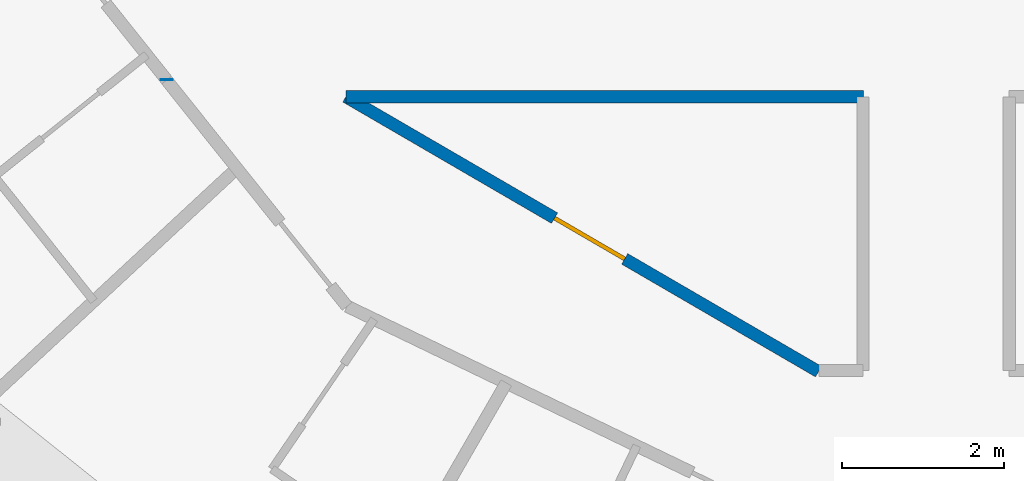
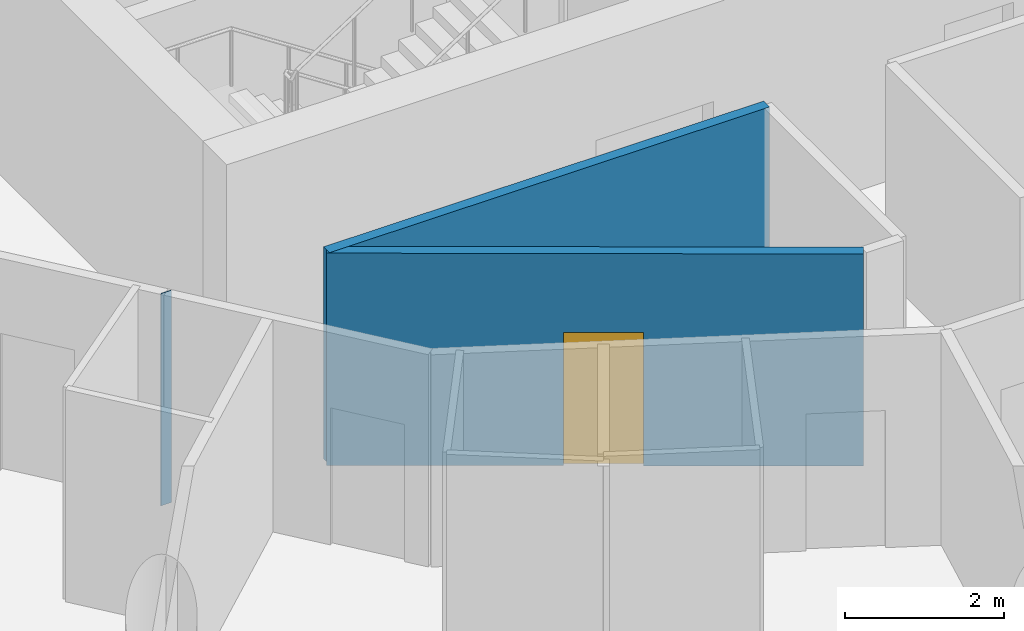
# One storey, part 3 of 12: 3 walls, 1 door, 1 opening.
"""IFC4 building model written with IfcOpenShell, lengths in metres."""

from ifc_helpers import new_model, si_unit, direction, frame, frame_2d, origin, place, context, subcontext, project, spatial, rectangle, extrude, material, layer, layer_set, type_object, element, fill, save


model = new_model("IFC4")

# Units and contexts
model_context = context("Model", 3, precision=1e-05, world=origin(), true_north=direction((0.0, 1.0)))
body_context = subcontext(model_context, "Body", "Model", "MODEL_VIEW")
ifc_project = project(units=[si_unit("LENGTHUNIT", "METRE"), si_unit("AREAUNIT", "SQUARE_METRE"), si_unit("VOLUMEUNIT", "CUBIC_METRE"), si_unit("PLANEANGLEUNIT", "RADIAN"), si_unit("MASSUNIT", "GRAM", prefix="KILO")], contexts=[model_context])

# Site, building, storey
site_placement = place(None, origin())
site = spatial("IfcSite", under=ifc_project, at=site_placement, CompositionType="ELEMENT")
building_placement = place(site_placement, origin())
building = spatial("IfcBuilding", under=site, at=building_placement, Name="Tracery Tower", CompositionType="ELEMENT")
storey_placement = place(building_placement, frame((0.0, 0.0, 287.39990234375)))
storey = spatial("IfcBuildingStorey", under=building, at=storey_placement, Name="L74", CompositionType="ELEMENT", Elevation=287.39990234375)

# Wall
ifc_material_1 = material(Name="Plasterboard on steel studs", Category="steel")
ifc_layer = layer(ifc_material_1, 0.14990234375)
ifc_layer_set = layer_set([ifc_layer], Name="Partition 150 corridor wall")
wall_type = type_object("IfcWallType", Name="Partition 150 corridor wall", PredefinedType="PARTITIONING", material=ifc_layer_set)
wall_1_placement = place(storey_placement, frame((-9.092041015625, -8.800048828125, 0.0), z_axis=(0.0, 0.0, 1.0), x_axis=(1.0, 0.0, 0.0)))
element("IfcWall", 1, at=wall_1_placement, inside=storey, type_object=wall_type, Name="Corridor wall RC6-011", PredefinedType="PARTITIONING", context=body_context, shape_type="SweptSolid", body=[
    extrude(rectangle(XDim=6.3759765625, YDim=0.14990234375, at=frame_2d((3.18798828125, 0.0))), origin(), (0.0, 0.0, 1.0), 3.25),
])

# Wall, opening, door
wall_2_placement = place(storey_placement, frame((-9.092041015625, -8.800048828125, 0.0), z_axis=(0.0, 0.0, 1.0), x_axis=(0.864470922103, -0.502682827277, 0.0)))
wall_2 = element("IfcWall", 2, at=wall_2_placement, inside=storey, type_object=wall_type, Name="Corridor wall RC6-012", PredefinedType="PARTITIONING", context=body_context, shape_type="SweptSolid", body=[
    extrude(rectangle(XDim=6.7353515625, YDim=0.14990234375, at=frame_2d((3.36767578125, 0.0))), origin(), (0.0, 0.0, 1.0), 3.25),
])
opening_placement = place(wall_2_placement, frame((2.9736328125, 0.0, 0.0)))
opening = element("IfcOpeningElement", 3, at=opening_placement, cuts=wall_2, Name="Opening RC6-03", PredefinedType="OPENING", context=body_context, shape_type="SweptSolid", body=[
    extrude(rectangle(XDim=1.0, YDim=2.0400390625, at=frame_2d((0.5, 1.02001953125))), frame((0.0, 0.074951171875, 0.0), z_axis=(0.0, -1.0, 0.0), x_axis=(1.0, 0.0, 0.0)), (0.0, 0.0, 1.0), 0.14990234375),
])
ifc_material_2 = material(Name="Timber door leaf", Category="wood")
door_type = type_object("IfcDoorType", Name="Door communal room 1000", OperationType="NOTDEFINED", PredefinedType="DOOR", material=ifc_material_2)
door_placement = place(opening_placement, origin())
door = element("IfcDoor", 4, at=door_placement, inside=storey, type_object=door_type, Name="Communal room door RC6-03", OperationType="SINGLE_SWING_LEFT", OverallHeight=2.0400390625, OverallWidth=1.0, PredefinedType="DOOR", context=body_context, shape_type="SweptSolid", body=[
    extrude(rectangle(XDim=1.0, YDim=2.0400390625, at=frame_2d((0.5, 1.02001953125))), frame((0.0, 0.02490234375, 0.0), z_axis=(0.0, -1.0, 0.0), x_axis=(1.0, 0.0, 0.0)), (0.0, 0.0, 1.0), 0.050048828125),
])
fill(opening, door)

# Wall
wall_3_placement = place(storey_placement, frame((-11.300048828125, -8.59619140625, 0.0), z_axis=(0.0, 0.0, 1.0), x_axis=(0.0, 1.0, 0.0)))
element("IfcWall", 5, at=wall_3_placement, inside=storey, type_object=wall_type, Name="Corridor wall RC6-017", PredefinedType="PARTITIONING", context=body_context, shape_type="SweptSolid", body=[
    extrude(rectangle(XDim=0.00927734375, YDim=0.14990234375, at=frame_2d((0.004638671875, 0.0))), origin(), (0.0, 0.0, 1.0), 3.25),
])

save(model, "model.ifc")
